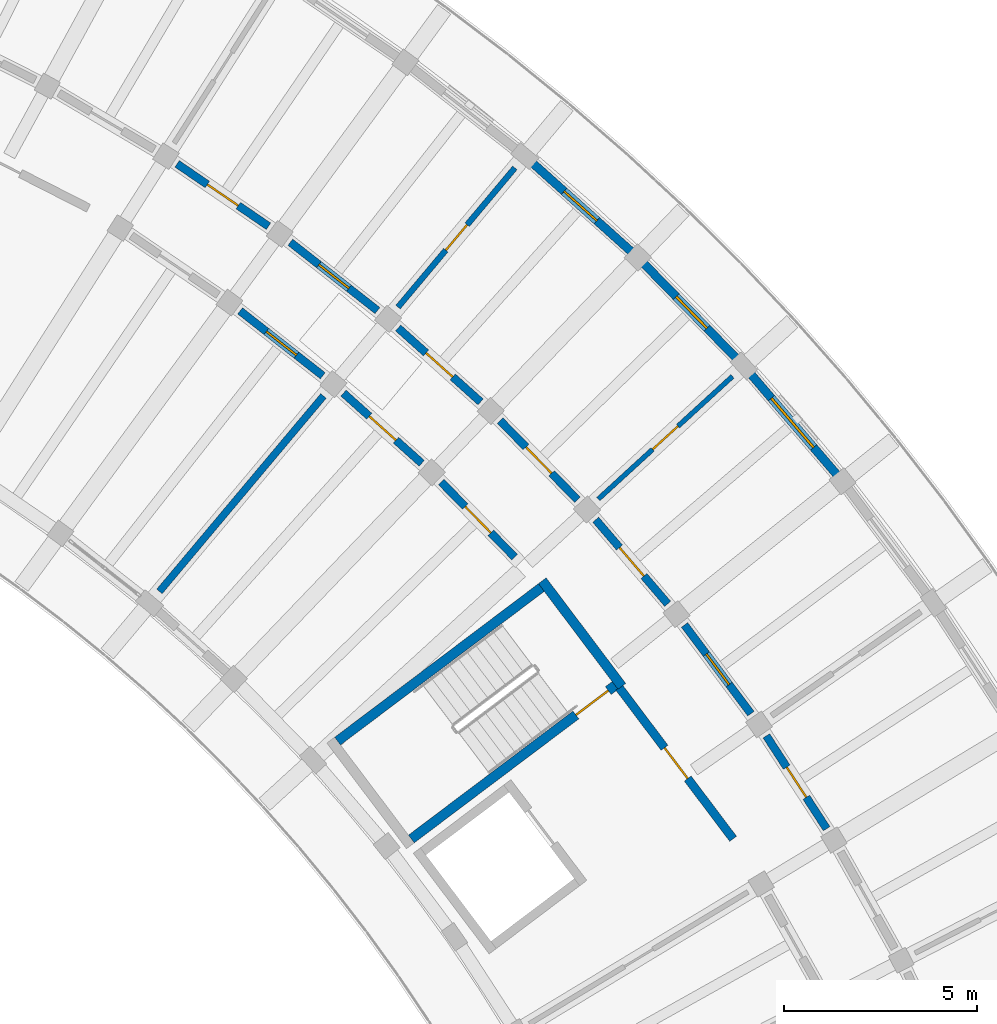
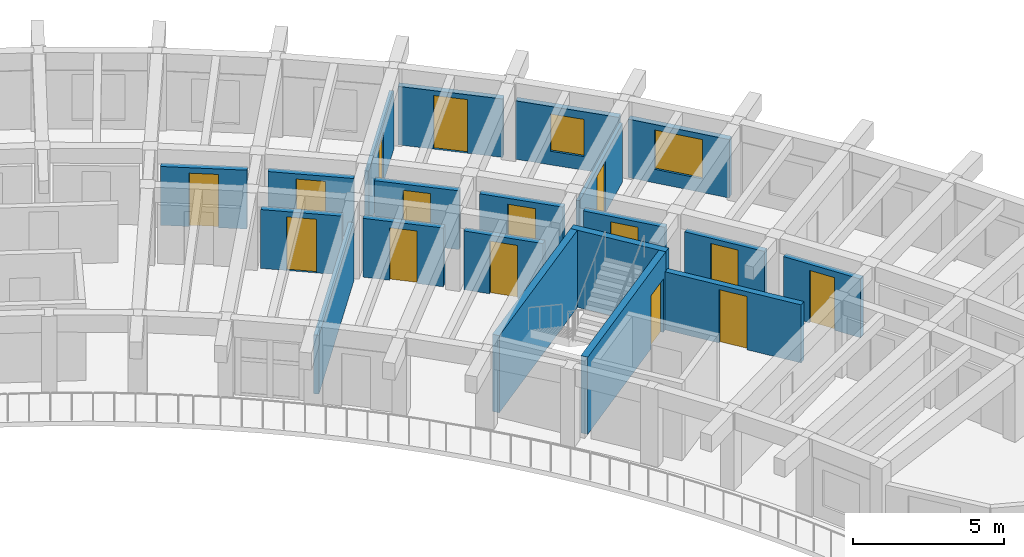
# One storey, part 24 of 41: 20 walls, 15 doors, 2 windows, 17 openings.
"""IFC4 building model written with IfcOpenShell, lengths in metres."""

from ifc_helpers import new_model, si_unit, direction, frame, frame_2d, origin, place, context, subcontext, project, spatial, rectangle, extrude, material, layer, layer_set, type_object, element, fill, save


model = new_model("IFC4")

# Units and contexts
model_context = context("Model", 3, precision=1e-05, world=origin(), true_north=direction((0.0, 1.0)))
body_context = subcontext(model_context, "Body", "Model", "MODEL_VIEW")
ifc_project = project(units=[si_unit("LENGTHUNIT", "METRE"), si_unit("AREAUNIT", "SQUARE_METRE"), si_unit("VOLUMEUNIT", "CUBIC_METRE"), si_unit("PLANEANGLEUNIT", "RADIAN"), si_unit("MASSUNIT", "GRAM", prefix="KILO")], contexts=[model_context])

# Site, building, storey
site_placement = place(None, origin())
site = spatial("IfcSite", under=ifc_project, at=site_placement, CompositionType="ELEMENT")
building_placement = place(site_placement, origin())
building = spatial("IfcBuilding", under=site, at=building_placement, Name="Tanwirah Colonnade Gardens", CompositionType="ELEMENT")
storey_placement = place(building_placement, frame((0.0, 0.0, 35.719970703125)))
storey = spatial("IfcBuildingStorey", under=building, at=storey_placement, Name="L10", CompositionType="ELEMENT", Elevation=35.719970703125)

# Wall, opening, window
ifc_material_1 = material(Name="Limestone architectural precast concrete C40/50", Category="masonry")
ifc_layer_1 = layer(ifc_material_1, 0.219970703125)
ifc_layer_set_1 = layer_set([ifc_layer_1], Name="Limestone architectural precast concrete C40/50")
wall_type_1 = type_object("IfcWallType", Name="EW-PC220", PredefinedType="SOLIDWALL", material=ifc_layer_set_1)
wall_1_placement = place(storey_placement, frame((167.353271484375, 97.5732421875, 0.0), z_axis=(0.0, 0.0, 1.0), x_axis=(-0.650200638195, 0.759762548492, 0.0)))
wall_1 = element("IfcWall", 1, at=wall_1_placement, inside=storey, type_object=wall_type_1, Name="Block B L10 OUT Precast Facade Wall 6", PredefinedType="SOLIDWALL", context=body_context, shape_type="SweptSolid", body=[
    extrude(rectangle(XDim=3.540771484375, YDim=0.219970703125, at=frame_2d((1.7705078125, 0.0))), origin(), (0.0, 0.0, 1.0), 2.35498046875),
])
opening_1_placement = place(wall_1_placement, frame((0.930419921875, 0.0, 0.550048828125)))
opening_1 = element("IfcOpeningElement", 2, at=opening_1_placement, cuts=wall_1, Name="Opening WIN-U14", PredefinedType="OPENING", context=body_context, shape_type="SweptSolid", body=[
    extrude(rectangle(XDim=1.679931640625, YDim=1.5849609375, at=frame_2d((0.83984375, 0.79248046875))), frame((0.0, 0.119873046875, 0.0), z_axis=(0.0, -1.0, 0.0), x_axis=(1.0, 0.0, 0.0)), (0.0, 0.0, 1.0), 0.239990234375),
])
ifc_material_2 = material(Name="Thermally broken bronze aluminium and solar low-E double glazing", Category="aluminium")
window_type_1 = type_object("IfcWindowType", Name="WIN-U14", PartitioningType="DOUBLE_PANEL_VERTICAL", PredefinedType="WINDOW", material=ifc_material_2)
window_1_placement = place(opening_1_placement, origin())
window_1 = element("IfcWindow", 3, at=window_1_placement, inside=storey, type_object=window_type_1, Name="Facade window B-L10-OUT-06", OverallHeight=1.5849609375, OverallWidth=1.679931640625, PartitioningType="SINGLE_PANEL", PredefinedType="WINDOW", context=body_context, shape_type="SweptSolid", body=[
    extrude(rectangle(XDim=1.679931640625, YDim=1.5849609375, at=frame_2d((0.83984375, 0.79248046875))), frame((0.0, 0.030029296875, 0.0), z_axis=(0.0, -1.0, 0.0), x_axis=(1.0, 0.0, 0.0)), (0.0, 0.0, 1.0), 0.06005859375),
])
fill(opening_1, window_1)

wall_2_placement = place(storey_placement, frame((164.82861328125, 100.5068359375, 0.0), z_axis=(0.0, 0.0, 1.0), x_axis=(-0.698819119584, 0.715298425906, 0.0)))
wall_2 = element("IfcWall", 4, at=wall_2_placement, inside=storey, type_object=wall_type_1, Name="Block B L10 OUT Precast Facade Wall 7", PredefinedType="SOLIDWALL", context=body_context, shape_type="SweptSolid", body=[
    extrude(rectangle(XDim=3.540771484375, YDim=0.219970703125, at=frame_2d((1.7705078125, 0.0))), origin(), (0.0, 0.0, 1.0), 2.35498046875),
])
opening_2_placement = place(wall_2_placement, frame((1.1953125, 0.0, 0.550048828125)))
opening_2 = element("IfcOpeningElement", 5, at=opening_2_placement, cuts=wall_2, Name="Opening WIN-T01", PredefinedType="OPENING", context=body_context, shape_type="SweptSolid", body=[
    extrude(rectangle(XDim=1.14990234375, YDim=1.5, at=frame_2d((0.574951171875, 0.75))), frame((0.0, 0.119873046875, 0.0), z_axis=(0.0, -1.0, 0.0), x_axis=(1.0, 0.0, 0.0)), (0.0, 0.0, 1.0), 0.239990234375),
])
window_type_2 = type_object("IfcWindowType", Name="WIN-T01", PartitioningType="SINGLE_PANEL", PredefinedType="WINDOW", material=ifc_material_2)
window_2_placement = place(opening_2_placement, origin())
window_2 = element("IfcWindow", 6, at=window_2_placement, inside=storey, type_object=window_type_2, Name="Facade window B-L10-OUT-07", OverallHeight=1.5, OverallWidth=1.14990234375, PartitioningType="SINGLE_PANEL", PredefinedType="WINDOW", context=body_context, shape_type="SweptSolid", body=[
    extrude(rectangle(XDim=1.14990234375, YDim=1.5, at=frame_2d((0.574951171875, 0.75))), frame((0.0, 0.030029296875, 0.0), z_axis=(0.0, -1.0, 0.0), x_axis=(1.0, 0.0, 0.0)), (0.0, 0.0, 1.0), 0.06005859375),
])
fill(opening_2, window_2)

# Wall, opening, door
wall_3_placement = place(storey_placement, frame((162.03662109375, 103.34375, 0.0), z_axis=(0.0, 0.0, 1.0), x_axis=(-0.744438243575, 0.667691322021, 0.0)))
wall_3 = element("IfcWall", 7, at=wall_3_placement, inside=storey, type_object=wall_type_1, Name="Block B L10 OUT Precast Facade Wall 8", PredefinedType="SOLIDWALL", context=body_context, shape_type="SweptSolid", body=[
    extrude(rectangle(XDim=3.54052734375, YDim=0.219970703125, at=frame_2d((1.770263671875, 0.0))), origin(), (0.0, 0.0, 1.0), 2.35498046875),
])
opening_3_placement = place(wall_3_placement, frame((1.2001953125, 0.0, 0.0)))
opening_3 = element("IfcOpeningElement", 8, at=opening_3_placement, cuts=wall_3, Name="Opening L10-ED115", PredefinedType="OPENING", context=body_context, shape_type="SweptSolid", body=[
    extrude(rectangle(XDim=1.139892578125, YDim=2.159912109375, at=frame_2d((0.56982421875, 1.080078125))), frame((0.0, 0.119873046875, 0.0), z_axis=(0.0, -1.0, 0.0), x_axis=(1.0, 0.0, 0.0)), (0.0, 0.0, 1.0), 0.239990234375),
])
ifc_material_3 = material(Name="Bronze aluminium glazed balcony door", Category="aluminium")
door_type_1 = type_object("IfcDoorType", Name="ED-BAL114", OperationType="NOTDEFINED", PredefinedType="DOOR", material=ifc_material_3)
door_1_placement = place(opening_3_placement, origin())
door_1 = element("IfcDoor", 9, at=door_1_placement, inside=storey, type_object=door_type_1, Name="Balcony glazed door L10-ED115", OperationType="SINGLE_SWING_LEFT", OverallHeight=2.159912109375, OverallWidth=1.139892578125, PredefinedType="DOOR", context=body_context, shape_type="SweptSolid", body=[
    extrude(rectangle(XDim=1.139892578125, YDim=2.159912109375, at=frame_2d((0.56982421875, 1.080078125))), frame((0.0, 0.02490234375, 0.0), z_axis=(0.0, -1.0, 0.0), x_axis=(1.0, 0.0, 0.0)), (0.0, 0.0, 1.0), 0.050048828125),
])
fill(opening_3, door_1)

ifc_material_4 = material(Name="Precast concrete C40/50", Category="concrete")
ifc_layer_2 = layer(ifc_material_4, 0.205078125)
ifc_layer_set_2 = layer_set([ifc_layer_2], Name="Precast concrete C40/50")
wall_type_2 = type_object("IfcWallType", Name="IW-CORR205", PredefinedType="PARTITIONING", material=ifc_layer_set_2)
wall_4_placement = place(storey_placement, frame((167.085205078125, 88.421142578125, 0.0), z_axis=(0.0, 0.0, 1.0), x_axis=(-0.544643612649, 0.838667595178, 0.0)))
wall_4 = element("IfcWall", 10, at=wall_4_placement, inside=storey, type_object=wall_type_2, Name="Block B L10 OUT Corridor Wall 4", PredefinedType="PARTITIONING", context=body_context, shape_type="SweptSolid", body=[
    extrude(rectangle(XDim=2.863037109375, YDim=0.205078125, at=frame_2d((1.431640625, 0.0))), origin(), (0.0, 0.0, 1.0), 2.3701171875),
])
opening_4_placement = place(wall_4_placement, frame((0.966552734375, 0.0, 0.0)))
opening_4 = element("IfcOpeningElement", 11, at=opening_4_placement, cuts=wall_4, Name="Opening L10-AD1200", PredefinedType="OPENING", context=body_context, shape_type="SweptSolid", body=[
    extrude(rectangle(XDim=0.929931640625, YDim=2.1201171875, at=frame_2d((0.46484375, 1.06005859375))), frame((0.0, 0.112548828125, 0.0), z_axis=(0.0, -1.0, 0.0), x_axis=(1.0, 0.0, 0.0)), (0.0, 0.0, 1.0), 0.22509765625),
])
ifc_material_5 = material(Name="Solid oak fire-resisting apartment entrance door")
door_type_2 = type_object("IfcDoorType", Name="ID-FLT093", OperationType="NOTDEFINED", PredefinedType="DOOR", material=ifc_material_5)
door_2_placement = place(opening_4_placement, origin())
door_2 = element("IfcDoor", 12, at=door_2_placement, inside=storey, type_object=door_type_2, Name="Apartment corridor door L10-AD1200", OperationType="SINGLE_SWING_LEFT", OverallHeight=2.1201171875, OverallWidth=0.929931640625, PredefinedType="DOOR", context=body_context, shape_type="SweptSolid", body=[
    extrude(rectangle(XDim=0.929931640625, YDim=2.1201171875, at=frame_2d((0.46484375, 1.06005859375))), frame((0.0, 0.02490234375, 0.0), z_axis=(0.0, -1.0, 0.0), x_axis=(1.0, 0.0, 0.0)), (0.0, 0.0, 1.0), 0.050048828125),
])
fill(opening_4, door_2)

wall_5_placement = place(storey_placement, frame((165.125732421875, 91.396240234375, 0.0), z_axis=(0.0, 0.0, 1.0), x_axis=(-0.598757763243, 0.800930172335, 0.0)))
wall_5 = element("IfcWall", 13, at=wall_5_placement, inside=storey, type_object=wall_type_2, Name="Block B L10 OUT Corridor Wall 5", PredefinedType="PARTITIONING", context=body_context, shape_type="SweptSolid", body=[
    extrude(rectangle(XDim=2.86328125, YDim=0.205078125, at=frame_2d((1.431640625, 0.0))), origin(), (0.0, 0.0, 1.0), 2.3701171875),
])
opening_5_placement = place(wall_5_placement, frame((0.9365234375, 0.0, 0.0)))
opening_5 = element("IfcOpeningElement", 14, at=opening_5_placement, cuts=wall_5, Name="Opening L10-AD1202", PredefinedType="OPENING", context=body_context, shape_type="SweptSolid", body=[
    extrude(rectangle(XDim=0.989990234375, YDim=2.159912109375, at=frame_2d((0.4951171875, 1.080078125))), frame((0.0, 0.112548828125, 0.0), z_axis=(0.0, -1.0, 0.0), x_axis=(1.0, 0.0, 0.0)), (0.0, 0.0, 1.0), 0.22509765625),
])
door_type_3 = type_object("IfcDoorType", Name="ID-FLT099", OperationType="NOTDEFINED", PredefinedType="DOOR", material=ifc_material_5)
door_3_placement = place(opening_5_placement, origin())
door_3 = element("IfcDoor", 15, at=door_3_placement, inside=storey, type_object=door_type_3, Name="Apartment corridor door L10-AD1202", OperationType="SINGLE_SWING_RIGHT", OverallHeight=2.159912109375, OverallWidth=0.989990234375, PredefinedType="DOOR", context=body_context, shape_type="SweptSolid", body=[
    extrude(rectangle(XDim=0.989990234375, YDim=2.159912109375, at=frame_2d((0.4951171875, 1.080078125))), frame((0.0, 0.02490234375, 0.0), z_axis=(0.0, -1.0, 0.0), x_axis=(1.0, 0.0, 0.0)), (0.0, 0.0, 1.0), 0.050048828125),
])
fill(opening_5, door_3)

wall_6_placement = place(storey_placement, frame((162.974365234375, 94.23583984375, 0.0), z_axis=(0.0, 0.0, 1.0), x_axis=(-0.650194272684, 0.759767996015, 0.0)))
wall_6 = element("IfcWall", 16, at=wall_6_placement, inside=storey, type_object=wall_type_2, Name="Block B L10 OUT Corridor Wall 6", PredefinedType="PARTITIONING", context=body_context, shape_type="SweptSolid", body=[
    extrude(rectangle(XDim=2.863037109375, YDim=0.205078125, at=frame_2d((1.431640625, 0.0))), origin(), (0.0, 0.0, 1.0), 2.3701171875),
])
opening_6_placement = place(wall_6_placement, frame((0.946533203125, 0.0, 0.0)))
opening_6 = element("IfcOpeningElement", 17, at=opening_6_placement, cuts=wall_6, Name="Opening L10-AD1203", PredefinedType="OPENING", context=body_context, shape_type="SweptSolid", body=[
    extrude(rectangle(XDim=0.969970703125, YDim=2.14990234375, at=frame_2d((0.48486328125, 1.074951171875))), frame((0.0, 0.112548828125, 0.0), z_axis=(0.0, -1.0, 0.0), x_axis=(1.0, 0.0, 0.0)), (0.0, 0.0, 1.0), 0.22509765625),
])
door_type_4 = type_object("IfcDoorType", Name="ID-FLT097", OperationType="NOTDEFINED", PredefinedType="DOOR", material=ifc_material_5)
door_4_placement = place(opening_6_placement, origin())
door_4 = element("IfcDoor", 18, at=door_4_placement, inside=storey, type_object=door_type_4, Name="Apartment corridor door L10-AD1203", OperationType="SINGLE_SWING_LEFT", OverallHeight=2.14990234375, OverallWidth=0.969970703125, PredefinedType="DOOR", context=body_context, shape_type="SweptSolid", body=[
    extrude(rectangle(XDim=0.969970703125, YDim=2.14990234375, at=frame_2d((0.48486328125, 1.074951171875))), frame((0.0, 0.02490234375, 0.0), z_axis=(0.0, -1.0, 0.0), x_axis=(1.0, 0.0, 0.0)), (0.0, 0.0, 1.0), 0.050048828125),
])
fill(opening_6, door_4)

wall_7_placement = place(storey_placement, frame((160.640625, 96.92724609375, 0.0), z_axis=(0.0, 0.0, 1.0), x_axis=(-0.698787219683, 0.715329589496, 0.0)))
wall_7 = element("IfcWall", 19, at=wall_7_placement, inside=storey, type_object=wall_type_2, Name="Block B L10 OUT Corridor Wall 7", PredefinedType="PARTITIONING", context=body_context, shape_type="SweptSolid", body=[
    extrude(rectangle(XDim=2.863037109375, YDim=0.205078125, at=frame_2d((1.431640625, 0.0))), origin(), (0.0, 0.0, 1.0), 2.3701171875),
])
opening_7_placement = place(wall_7_placement, frame((0.95654296875, 0.0, 0.0)))
opening_7 = element("IfcOpeningElement", 20, at=opening_7_placement, cuts=wall_7, Name="Opening L10-AD1205", PredefinedType="OPENING", context=body_context, shape_type="SweptSolid", body=[
    extrude(rectangle(XDim=0.949951171875, YDim=2.1298828125, at=frame_2d((0.47509765625, 1.06494140625))), frame((0.0, 0.112548828125, 0.0), z_axis=(0.0, -1.0, 0.0), x_axis=(1.0, 0.0, 0.0)), (0.0, 0.0, 1.0), 0.22509765625),
])
door_type_5 = type_object("IfcDoorType", Name="ID-FLT095", OperationType="NOTDEFINED", PredefinedType="DOOR", material=ifc_material_5)
door_5_placement = place(opening_7_placement, origin())
door_5 = element("IfcDoor", 21, at=door_5_placement, inside=storey, type_object=door_type_5, Name="Apartment corridor door L10-AD1205", OperationType="SINGLE_SWING_RIGHT", OverallHeight=2.1298828125, OverallWidth=0.949951171875, PredefinedType="DOOR", context=body_context, shape_type="SweptSolid", body=[
    extrude(rectangle(XDim=0.949951171875, YDim=2.1298828125, at=frame_2d((0.47509765625, 1.06494140625))), frame((0.0, 0.02490234375, 0.0), z_axis=(0.0, -1.0, 0.0), x_axis=(1.0, 0.0, 0.0)), (0.0, 0.0, 1.0), 0.050048828125),
])
fill(opening_7, door_5)

wall_8_placement = place(storey_placement, frame((159.01708984375, 95.442626953125, 0.0), z_axis=(0.0, 0.0, 1.0), x_axis=(-0.698840007829, 0.715278018296, 0.0)))
wall_8 = element("IfcWall", 22, at=wall_8_placement, inside=storey, type_object=wall_type_2, Name="Block B L10 IN Corridor Wall 7", PredefinedType="PARTITIONING", context=body_context, shape_type="SweptSolid", body=[
    extrude(rectangle(XDim=2.718017578125, YDim=0.205078125, at=frame_2d((1.35888671875, 0.0))), origin(), (0.0, 0.0, 1.0), 2.3701171875),
])
opening_8_placement = place(wall_8_placement, frame((0.884033203125, 0.0, 0.0)))
opening_8 = element("IfcOpeningElement", 23, at=opening_8_placement, cuts=wall_8, Name="Opening L10-AD1206", PredefinedType="OPENING", context=body_context, shape_type="SweptSolid", body=[
    extrude(rectangle(XDim=0.949951171875, YDim=2.1298828125, at=frame_2d((0.47509765625, 1.06494140625))), frame((0.0, 0.112548828125, 0.0), z_axis=(0.0, -1.0, 0.0), x_axis=(1.0, 0.0, 0.0)), (0.0, 0.0, 1.0), 0.22509765625),
])
door_6_placement = place(opening_8_placement, origin())
door_6 = element("IfcDoor", 24, at=door_6_placement, inside=storey, type_object=door_type_5, Name="Apartment corridor door L10-AD1206", OperationType="SINGLE_SWING_LEFT", OverallHeight=2.1298828125, OverallWidth=0.949951171875, PredefinedType="DOOR", context=body_context, shape_type="SweptSolid", body=[
    extrude(rectangle(XDim=0.949951171875, YDim=2.1298828125, at=frame_2d((0.47509765625, 1.06494140625))), frame((0.0, 0.02490234375, 0.0), z_axis=(0.0, -1.0, 0.0), x_axis=(1.0, 0.0, 0.0)), (0.0, 0.0, 1.0), 0.050048828125),
])
fill(opening_8, door_6)

wall_9_placement = place(storey_placement, frame((158.134765625, 99.459228515625, 0.0), z_axis=(0.0, 0.0, 1.0), x_axis=(-0.744433521088, 0.667696587291, 0.0)))
wall_9 = element("IfcWall", 25, at=wall_9_placement, inside=storey, type_object=wall_type_2, Name="Block B L10 OUT Corridor Wall 8", PredefinedType="PARTITIONING", context=body_context, shape_type="SweptSolid", body=[
    extrude(rectangle(XDim=2.86328125, YDim=0.205078125, at=frame_2d((1.431640625, 0.0))), origin(), (0.0, 0.0, 1.0), 2.3701171875),
])
opening_9_placement = place(wall_9_placement, frame((0.966552734375, 0.0, 0.0)))
opening_9 = element("IfcOpeningElement", 26, at=opening_9_placement, cuts=wall_9, Name="Opening L10-AD1207", PredefinedType="OPENING", context=body_context, shape_type="SweptSolid", body=[
    extrude(rectangle(XDim=0.929931640625, YDim=2.1201171875, at=frame_2d((0.46484375, 1.06005859375))), frame((0.0, 0.112548828125, 0.0), z_axis=(0.0, -1.0, 0.0), x_axis=(1.0, 0.0, 0.0)), (0.0, 0.0, 1.0), 0.22509765625),
])
door_7_placement = place(opening_9_placement, origin())
door_7 = element("IfcDoor", 27, at=door_7_placement, inside=storey, type_object=door_type_2, Name="Apartment corridor door L10-AD1207", OperationType="SINGLE_SWING_LEFT", OverallHeight=2.1201171875, OverallWidth=0.929931640625, PredefinedType="DOOR", context=body_context, shape_type="SweptSolid", body=[
    extrude(rectangle(XDim=0.929931640625, YDim=2.1201171875, at=frame_2d((0.46484375, 1.06005859375))), frame((0.0, 0.02490234375, 0.0), z_axis=(0.0, -1.0, 0.0), x_axis=(1.0, 0.0, 0.0)), (0.0, 0.0, 1.0), 0.050048828125),
])
fill(opening_9, door_7)

wall_10_placement = place(storey_placement, frame((156.612548828125, 97.870849609375, 0.0), z_axis=(0.0, 0.0, 1.0), x_axis=(-0.744418559135, 0.667713268413, 0.0)))
wall_10 = element("IfcWall", 28, at=wall_10_placement, inside=storey, type_object=wall_type_2, Name="Block B L10 IN Corridor Wall 8", PredefinedType="PARTITIONING", context=body_context, shape_type="SweptSolid", body=[
    extrude(rectangle(XDim=2.71826171875, YDim=0.205078125, at=frame_2d((1.359130859375, 0.0))), origin(), (0.0, 0.0, 1.0), 2.3701171875),
])
opening_10_placement = place(wall_10_placement, frame((0.89404296875, 0.0, 0.0)))
opening_10 = element("IfcOpeningElement", 29, at=opening_10_placement, cuts=wall_10, Name="Opening L10-AD1208", PredefinedType="OPENING", context=body_context, shape_type="SweptSolid", body=[
    extrude(rectangle(XDim=0.929931640625, YDim=2.1201171875, at=frame_2d((0.46484375, 1.06005859375))), frame((0.0, 0.112548828125, 0.0), z_axis=(0.0, -1.0, 0.0), x_axis=(1.0, 0.0, 0.0)), (0.0, 0.0, 1.0), 0.22509765625),
])
door_8_placement = place(opening_10_placement, origin())
door_8 = element("IfcDoor", 30, at=door_8_placement, inside=storey, type_object=door_type_2, Name="Apartment corridor door L10-AD1208", OperationType="SINGLE_SWING_RIGHT", OverallHeight=2.1201171875, OverallWidth=0.929931640625, PredefinedType="DOOR", context=body_context, shape_type="SweptSolid", body=[
    extrude(rectangle(XDim=0.929931640625, YDim=2.1201171875, at=frame_2d((0.46484375, 1.06005859375))), frame((0.0, 0.02490234375, 0.0), z_axis=(0.0, -1.0, 0.0), x_axis=(1.0, 0.0, 0.0)), (0.0, 0.0, 1.0), 0.050048828125),
])
fill(opening_10, door_8)

wall_11_placement = place(storey_placement, frame((155.46728515625, 101.82080078125, 0.0), z_axis=(0.0, 0.0, 1.0), x_axis=(-0.786806323554, 0.617199975061, 0.0)))
wall_11 = element("IfcWall", 31, at=wall_11_placement, inside=storey, type_object=wall_type_2, Name="Block B L10 OUT Corridor Wall 9", PredefinedType="PARTITIONING", context=body_context, shape_type="SweptSolid", body=[
    extrude(rectangle(XDim=2.863037109375, YDim=0.205078125, at=frame_2d((1.431640625, 0.0))), origin(), (0.0, 0.0, 1.0), 2.3701171875),
])
opening_11_placement = place(wall_11_placement, frame((0.9365234375, 0.0, 0.0)))
opening_11 = element("IfcOpeningElement", 32, at=opening_11_placement, cuts=wall_11, Name="Opening L10-AD1210", PredefinedType="OPENING", context=body_context, shape_type="SweptSolid", body=[
    extrude(rectangle(XDim=0.989990234375, YDim=2.159912109375, at=frame_2d((0.4951171875, 1.080078125))), frame((0.0, 0.112548828125, 0.0), z_axis=(0.0, -1.0, 0.0), x_axis=(1.0, 0.0, 0.0)), (0.0, 0.0, 1.0), 0.22509765625),
])
door_9_placement = place(opening_11_placement, origin())
door_9 = element("IfcDoor", 33, at=door_9_placement, inside=storey, type_object=door_type_3, Name="Apartment corridor door L10-AD1210", OperationType="SINGLE_SWING_RIGHT", OverallHeight=2.159912109375, OverallWidth=0.989990234375, PredefinedType="DOOR", context=body_context, shape_type="SweptSolid", body=[
    extrude(rectangle(XDim=0.989990234375, YDim=2.159912109375, at=frame_2d((0.4951171875, 1.080078125))), frame((0.0, 0.02490234375, 0.0), z_axis=(0.0, -1.0, 0.0), x_axis=(1.0, 0.0, 0.0)), (0.0, 0.0, 1.0), 0.050048828125),
])
fill(opening_11, door_9)

wall_12_placement = place(storey_placement, frame((154.05322265625, 100.135498046875, 0.0), z_axis=(0.0, 0.0, 1.0), x_axis=(-0.786835457019, 0.617162833924, 0.0)))
wall_12 = element("IfcWall", 34, at=wall_12_placement, inside=storey, type_object=wall_type_2, Name="Block B L10 IN Corridor Wall 9", PredefinedType="PARTITIONING", context=body_context, shape_type="SweptSolid", body=[
    extrude(rectangle(XDim=2.718017578125, YDim=0.205078125, at=frame_2d((1.35888671875, 0.0))), origin(), (0.0, 0.0, 1.0), 2.3701171875),
])
opening_12_placement = place(wall_12_placement, frame((0.864013671875, 0.0, 0.0)))
opening_12 = element("IfcOpeningElement", 35, at=opening_12_placement, cuts=wall_12, Name="Opening L10-AD1211", PredefinedType="OPENING", context=body_context, shape_type="SweptSolid", body=[
    extrude(rectangle(XDim=0.989990234375, YDim=2.159912109375, at=frame_2d((0.4951171875, 1.080078125))), frame((0.0, 0.112548828125, 0.0), z_axis=(0.0, -1.0, 0.0), x_axis=(1.0, 0.0, 0.0)), (0.0, 0.0, 1.0), 0.22509765625),
])
door_10_placement = place(opening_12_placement, origin())
door_10 = element("IfcDoor", 36, at=door_10_placement, inside=storey, type_object=door_type_3, Name="Apartment corridor door L10-AD1211", OperationType="SINGLE_SWING_LEFT", OverallHeight=2.159912109375, OverallWidth=0.989990234375, PredefinedType="DOOR", context=body_context, shape_type="SweptSolid", body=[
    extrude(rectangle(XDim=0.989990234375, YDim=2.159912109375, at=frame_2d((0.4951171875, 1.080078125))), frame((0.0, 0.02490234375, 0.0), z_axis=(0.0, -1.0, 0.0), x_axis=(1.0, 0.0, 0.0)), (0.0, 0.0, 1.0), 0.050048828125),
])
fill(opening_12, door_10)

wall_13_placement = place(storey_placement, frame((152.650146484375, 104.001220703125, 0.0), z_axis=(0.0, 0.0, 1.0), x_axis=(-0.825779671787, 0.563992848947, 0.0)))
wall_13 = element("IfcWall", 37, at=wall_13_placement, inside=storey, type_object=wall_type_2, Name="Block B L10 OUT Corridor Wall 10", PredefinedType="PARTITIONING", context=body_context, shape_type="SweptSolid", body=[
    extrude(rectangle(XDim=2.863037109375, YDim=0.205078125, at=frame_2d((1.431640625, 0.0))), origin(), (0.0, 0.0, 1.0), 2.3701171875),
])
opening_13_placement = place(wall_13_placement, frame((0.946533203125, 0.0, 0.0)))
opening_13 = element("IfcOpeningElement", 38, at=opening_13_placement, cuts=wall_13, Name="Opening L10-AD1212", PredefinedType="OPENING", context=body_context, shape_type="SweptSolid", body=[
    extrude(rectangle(XDim=0.969970703125, YDim=2.14990234375, at=frame_2d((0.48486328125, 1.074951171875))), frame((0.0, 0.112548828125, 0.0), z_axis=(0.0, -1.0, 0.0), x_axis=(1.0, 0.0, 0.0)), (0.0, 0.0, 1.0), 0.22509765625),
])
door_11_placement = place(opening_13_placement, origin())
door_11 = element("IfcDoor", 39, at=door_11_placement, inside=storey, type_object=door_type_4, Name="Apartment corridor door L10-AD1212", OperationType="SINGLE_SWING_LEFT", OverallHeight=2.14990234375, OverallWidth=0.969970703125, PredefinedType="DOOR", context=body_context, shape_type="SweptSolid", body=[
    extrude(rectangle(XDim=0.969970703125, YDim=2.14990234375, at=frame_2d((0.48486328125, 1.074951171875))), frame((0.0, 0.02490234375, 0.0), z_axis=(0.0, -1.0, 0.0), x_axis=(1.0, 0.0, 0.0)), (0.0, 0.0, 1.0), 0.050048828125),
])
fill(opening_13, door_11)

# Wall
ifc_layer_3 = layer(ifc_material_4, 0.18505859375)
ifc_layer_set_3 = layer_set([ifc_layer_3], Name="Precast concrete C40/50")
wall_type_3 = type_object("IfcWallType", Name="IW-DEM185", PredefinedType="PARTITIONING", material=ifc_layer_set_3)
wall_14_placement = place(storey_placement, frame((149.8291015625, 94.55712890625, 0.0), z_axis=(0.0, 0.0, 1.0), x_axis=(0.642789470807, 0.766042881449, 0.0)))
element("IfcWall", 40, at=wall_14_placement, inside=storey, type_object=wall_type_3, Name="Block B L10 Inner Radial Partition 8", PredefinedType="PARTITIONING", context=body_context, shape_type="SweptSolid", body=[
    extrude(rectangle(XDim=6.60009765625, YDim=0.18505859375, at=frame_2d((3.300048828125, 0.0))), origin(), (0.0, 0.0, 1.0), 2.3701171875),
])

# Wall, opening, door
ifc_material_6 = material(Name="Autoclaved aerated masonry blockwork", Category="masonry")
ifc_layer_4 = layer(ifc_material_6, 0.219970703125)
ifc_layer_set_4 = layer_set([ifc_layer_4], Name="Autoclaved aerated masonry blockwork")
wall_type_4 = type_object("IfcWallType", Name="IW-FFL220", PredefinedType="PARTITIONING", material=ifc_layer_set_4)
wall_15_placement = place(storey_placement, frame((161.7177734375, 92.072509765625, 0.0), z_axis=(0.0, 0.0, 1.0), x_axis=(0.601792209296, -0.79865270101, 0.0)))
wall_15 = element("IfcWall", 41, at=wall_15_placement, inside=storey, type_object=wall_type_4, Name="CORE-B1 L10 Enclosed Lobby Fire Wall", PredefinedType="PARTITIONING", context=body_context, shape_type="SweptSolid", body=[
    extrude(rectangle(XDim=4.89990234375, YDim=0.219970703125, at=frame_2d((2.449951171875, 0.0))), origin(), (0.0, 0.0, 1.0), 2.340087890625),
])
opening_14_placement = place(wall_15_placement, frame((1.949951171875, 0.0, 0.0)))
opening_14 = element("IfcOpeningElement", 42, at=opening_14_placement, cuts=wall_15, Name="Opening L10-LD090", PredefinedType="OPENING", context=body_context, shape_type="SweptSolid", body=[
    extrude(rectangle(XDim=1.0, YDim=2.14990234375, at=frame_2d((0.5, 1.074951171875))), frame((0.0, 0.119873046875, 0.0), z_axis=(0.0, -1.0, 0.0), x_axis=(1.0, 0.0, 0.0)), (0.0, 0.0, 1.0), 0.239990234375),
])
ifc_material_7 = material(Name="Acoustic fire-resisting lobby door")
door_type_6 = type_object("IfcDoorType", Name="ID-FFL100", OperationType="NOTDEFINED", PredefinedType="DOOR", material=ifc_material_7)
door_12_placement = place(opening_14_placement, origin())
door_12 = element("IfcDoor", 43, at=door_12_placement, inside=storey, type_object=door_type_6, Name="CORE-B1 L10 Lobby Fire Door L10-LD090", OperationType="SINGLE_SWING_LEFT", OverallHeight=2.14990234375, OverallWidth=1.0, PredefinedType="DOOR", context=body_context, shape_type="SweptSolid", body=[
    extrude(rectangle(XDim=1.0, YDim=2.14990234375, at=frame_2d((0.5, 1.074951171875))), frame((0.0, 0.02490234375, 0.0), z_axis=(0.0, -1.0, 0.0), x_axis=(1.0, 0.0, 0.0)), (0.0, 0.0, 1.0), 0.050048828125),
])
fill(opening_14, door_12)

ifc_material_8 = material(Name="Moisture-resistant gypsum stud partition")
ifc_layer_5 = layer(ifc_material_8, 0.125)
ifc_layer_set_5 = layer_set([ifc_layer_5], Name="Moisture-resistant gypsum stud partition")
wall_type_5 = type_object("IfcWallType", Name="IW-INT125", PredefinedType="PARTITIONING", material=ifc_layer_set_5)
wall_16_placement = place(storey_placement, frame((161.180419921875, 96.947021484375, 0.0), z_axis=(0.0, 0.0, 1.0), x_axis=(0.737934199263, 0.674872667663, 0.0)))
wall_16 = element("IfcWall", 44, at=wall_16_placement, inside=storey, type_object=wall_type_5, Name="Block B L10 Radial Partition 6", PredefinedType="PARTITIONING", context=body_context, shape_type="SweptSolid", body=[
    extrude(rectangle(XDim=4.699951171875, YDim=0.125, at=frame_2d((2.35009765625, 0.0))), origin(), (0.0, 0.0, 1.0), 2.3701171875),
])
opening_15_placement = place(wall_16_placement, frame((1.905029296875, 0.0, 0.0)))
opening_15 = element("IfcOpeningElement", 45, at=opening_15_placement, cuts=wall_16, Name="Opening L10-RD1204", PredefinedType="OPENING", context=body_context, shape_type="SweptSolid", body=[
    extrude(rectangle(XDim=0.889892578125, YDim=2.10009765625, at=frame_2d((0.44482421875, 1.050048828125))), frame((0.0, 0.072509765625, 0.0), z_axis=(0.0, -1.0, 0.0), x_axis=(1.0, 0.0, 0.0)), (0.0, 0.0, 1.0), 0.14501953125),
])
ifc_material_9 = material(Name="Painted hardwood bedroom door", Category="wood")
door_type_7 = type_object("IfcDoorType", Name="ID-RM089", OperationType="NOTDEFINED", PredefinedType="DOOR", material=ifc_material_9)
door_13_placement = place(opening_15_placement, origin())
door_13 = element("IfcDoor", 46, at=door_13_placement, inside=storey, type_object=door_type_7, Name="Internal apartment door L10-RD1204", OperationType="SINGLE_SWING_LEFT", OverallHeight=2.10009765625, OverallWidth=0.889892578125, PredefinedType="DOOR", context=body_context, shape_type="SweptSolid", body=[
    extrude(rectangle(XDim=0.889892578125, YDim=2.10009765625, at=frame_2d((0.44482421875, 1.050048828125))), frame((0.0, 0.02490234375, 0.0), z_axis=(0.0, -1.0, 0.0), x_axis=(1.0, 0.0, 0.0)), (0.0, 0.0, 1.0), 0.050048828125),
])
fill(opening_15, door_13)

ifc_material_10 = material(Name="Water-resistant acoustic plumbing partition")
ifc_layer_6 = layer(ifc_material_10, 0.14990234375)
ifc_layer_set_6 = layer_set([ifc_layer_6], Name="Water-resistant acoustic plumbing partition")
wall_type_6 = type_object("IfcWallType", Name="IW-WET150", PredefinedType="PLUMBINGWALL", material=ifc_layer_set_6)
wall_17_placement = place(storey_placement, frame((155.999755859375, 101.9111328125, 0.0), z_axis=(0.0, 0.0, 1.0), x_axis=(0.642811926223, 0.766024038465, 0.0)))
wall_17 = element("IfcWall", 47, at=wall_17_placement, inside=storey, type_object=wall_type_6, Name="Block B L10 Radial Partition 8", PredefinedType="PLUMBINGWALL", context=body_context, shape_type="SweptSolid", body=[
    extrude(rectangle(XDim=4.699951171875, YDim=0.14990234375, at=frame_2d((2.35009765625, 0.0))), origin(), (0.0, 0.0, 1.0), 2.3701171875),
])
opening_16_placement = place(wall_17_placement, frame((1.919921875, 0.0, 0.0)))
opening_16 = element("IfcOpeningElement", 48, at=opening_16_placement, cuts=wall_17, Name="Opening L10-RD1209", PredefinedType="OPENING", context=body_context, shape_type="SweptSolid", body=[
    extrude(rectangle(XDim=0.860107421875, YDim=2.06005859375, at=frame_2d((0.43017578125, 1.030029296875))), frame((0.0, 0.0849609375, 0.0), z_axis=(0.0, -1.0, 0.0), x_axis=(1.0, 0.0, 0.0)), (0.0, 0.0, 1.0), 0.169921875),
])
ifc_material_11 = material(Name="Moisture-resistant bathroom door")
door_type_8 = type_object("IfcDoorType", Name="ID-WET086", OperationType="NOTDEFINED", PredefinedType="DOOR", material=ifc_material_11)
door_14_placement = place(opening_16_placement, origin())
door_14 = element("IfcDoor", 49, at=door_14_placement, inside=storey, type_object=door_type_8, Name="Internal apartment door L10-RD1209", OperationType="SINGLE_SWING_LEFT", OverallHeight=2.06005859375, OverallWidth=0.860107421875, PredefinedType="DOOR", context=body_context, shape_type="SweptSolid", body=[
    extrude(rectangle(XDim=0.860107421875, YDim=2.06005859375, at=frame_2d((0.43017578125, 1.030029296875))), frame((0.0, 0.02490234375, 0.0), z_axis=(0.0, -1.0, 0.0), x_axis=(1.0, 0.0, 0.0)), (0.0, 0.0, 1.0), 0.050048828125),
])
fill(opening_16, door_14)

# Walls
ifc_material_12 = material(Name="Concrete C45/55", Category="concrete")
ifc_layer_7 = layer(ifc_material_12, 0.25)
ifc_layer_set_7 = layer_set([ifc_layer_7], Name="Concrete C45/55")
wall_type_7 = type_object("IfcWallType", Name="SW-CORE250", PredefinedType="SHEAR", material=ifc_layer_set_7)
wall_18_placement = place(storey_placement, frame((159.706787109375, 94.657958984375, 0.0), z_axis=(0.0, 0.0, 1.0), x_axis=(-0.798639633744, -0.601809550782, 0.0)))
element("IfcWall", 50, at=wall_18_placement, inside=storey, type_object=wall_type_7, Name="CORE-B1 L10 Stair Shaft Shear Wall LEFT", PredefinedType="SHEAR", context=body_context, shape_type="SweptSolid", body=[
    extrude(rectangle(XDim=6.599853515625, YDim=0.25, at=frame_2d((3.2998046875, 0.0))), origin(), (0.0, 0.0, 1.0), 3.110107421875),
])
wall_19_placement = place(storey_placement, frame((159.7314453125, 94.8330078125, 0.0), z_axis=(0.0, 0.0, 1.0), x_axis=(0.601814606132, -0.798635824294, 0.0)))
element("IfcWall", 51, at=wall_19_placement, inside=storey, type_object=wall_type_7, Name="CORE-B1 L10 Stair Shaft Shear Wall NEAR", PredefinedType="SHEAR", context=body_context, shape_type="SweptSolid", body=[
    extrude(rectangle(XDim=3.419921875, YDim=0.25, at=frame_2d((1.7099609375, 0.0))), origin(), (0.0, 0.0, 1.0), 3.110107421875),
])

# Wall, opening, door
wall_20_placement = place(storey_placement, frame((161.614501953125, 92.126220703125, 0.0), z_axis=(0.0, 0.0, 1.0), x_axis=(-0.798639633744, -0.601809550782, 0.0)))
wall_20 = element("IfcWall", 52, at=wall_20_placement, inside=storey, type_object=wall_type_7, Name="CORE-B1 L10 Stair Shaft Shear Wall RIGHT", PredefinedType="SHEAR", context=body_context, shape_type="SweptSolid", body=[
    extrude(rectangle(XDim=6.599853515625, YDim=0.25, at=frame_2d((3.2998046875, 0.0))), origin(), (0.0, 0.0, 1.0), 3.110107421875),
])
opening_17_placement = place(wall_20_placement, frame((0.219970703125, 0.0, 0.0)))
opening_17 = element("IfcOpeningElement", 53, at=opening_17_placement, cuts=wall_20, Name="Opening L10-SD076", PredefinedType="OPENING", context=body_context, shape_type="SweptSolid", body=[
    extrude(rectangle(XDim=1.050048828125, YDim=2.14990234375, at=frame_2d((0.52490234375, 1.074951171875))), frame((0.0, 0.135009765625, 0.0), z_axis=(0.0, -1.0, 0.0), x_axis=(1.0, 0.0, 0.0)), (0.0, 0.0, 1.0), 0.27001953125),
])
ifc_material_13 = material(Name="Steel fire-resisting stair enclosure door", Category="steel")
door_type_9 = type_object("IfcDoorType", Name="ID-ST105", OperationType="NOTDEFINED", PredefinedType="DOOR", material=ifc_material_13)
door_15_placement = place(opening_17_placement, origin())
door_15 = element("IfcDoor", 54, at=door_15_placement, inside=storey, type_object=door_type_9, Name="CORE-B1 L10 Stair Fire Door L10-SD076", OperationType="SINGLE_SWING_LEFT", OverallHeight=2.14990234375, OverallWidth=1.050048828125, PredefinedType="DOOR", context=body_context, shape_type="SweptSolid", body=[
    extrude(rectangle(XDim=1.050048828125, YDim=2.14990234375, at=frame_2d((0.52490234375, 1.074951171875))), frame((0.0, 0.02490234375, 0.0), z_axis=(0.0, -1.0, 0.0), x_axis=(1.0, 0.0, 0.0)), (0.0, 0.0, 1.0), 0.050048828125),
])
fill(opening_17, door_15)

save(model, "model.ifc")
